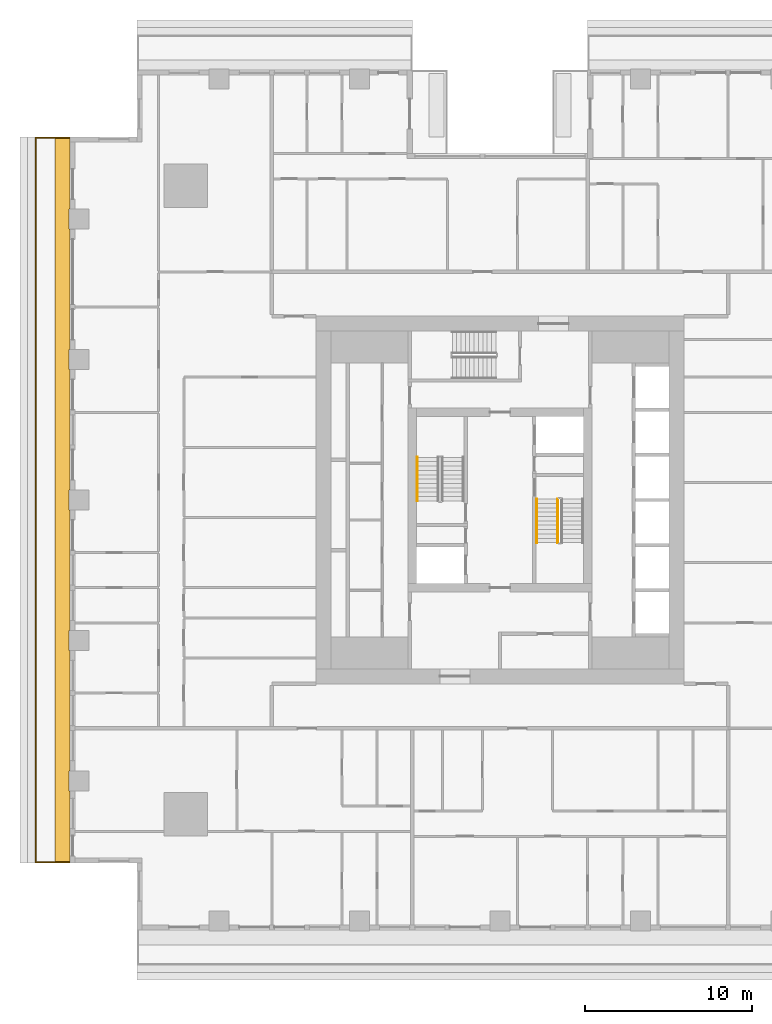
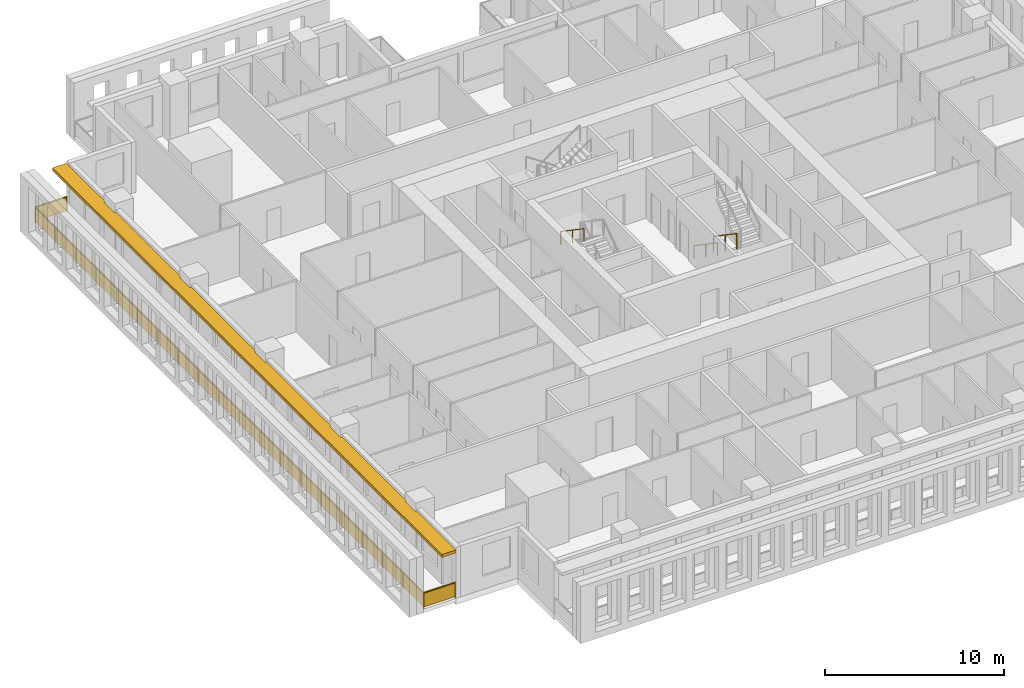
# One storey, part 12 of 16: 4 railings, 1 shading device.
"""IFC4 building model written with IfcOpenShell, lengths in metres."""

from ifc_helpers import new_model, si_unit, direction, frame, origin, origin_2d, place, context, subcontext, project, spatial, polyline, rectangle, outline, extrude, material, layer, layer_set, type_object, element, save


model = new_model("IFC4")

# Units and contexts
model_context = context("Model", 3, precision=1e-05, world=origin(), true_north=direction((0.0, 1.0)))
body_context = subcontext(model_context, "Body", "Model", "MODEL_VIEW")
ifc_project = project(units=[si_unit("LENGTHUNIT", "METRE"), si_unit("AREAUNIT", "SQUARE_METRE"), si_unit("VOLUMEUNIT", "CUBIC_METRE"), si_unit("PLANEANGLEUNIT", "RADIAN"), si_unit("MASSUNIT", "GRAM", prefix="KILO")], contexts=[model_context])

# Site, building, storey
site_placement = place(None, origin())
site = spatial("IfcSite", under=ifc_project, at=site_placement, CompositionType="ELEMENT")
building_placement = place(site_placement, origin())
building = spatial("IfcBuilding", under=site, at=building_placement, Name="Khepri Terraces", CompositionType="ELEMENT")
storey_placement = place(building_placement, frame((0.0, 0.0, 141.60009765625)))
storey = spatial("IfcBuildingStorey", under=building, at=storey_placement, Name="L33", CompositionType="ELEMENT", Elevation=141.60009765625)

# Railings
ifc_material_1 = material(Name="Stainless steel grade 316", Category="steel")
railing_type_1 = type_object("IfcRailingType", Name="GRD-BAL-1100", PredefinedType="GUARDRAIL", material=ifc_material_1)
railing_1_placement = place(storey_placement, frame((-25.719970703125, 21.669921875, 0.0)))
element("IfcRailing", 1, at=railing_1_placement, inside=storey, type_object=railing_type_1, Name="Balcony guard L33 W", PredefinedType="GUARDRAIL", context=body_context, shape_type="SweptSolid", body=[
    extrude(rectangle(XDim=0.050048828125, YDim=0.06005859375, at=origin_2d()), frame((0.0, 0.0, 1.070068359375), z_axis=(-1.0, 0.0, 0.0), x_axis=(0.0, -1.0, 0.0)), (0.0, 0.0, 1.0), 2.050048828125),
    extrude(rectangle(XDim=2.0, YDim=0.011962890625, at=origin_2d()), frame((-1.02490234375, 0.0, 0.10009765625), z_axis=(0.0, 0.0, 1.0), x_axis=(-1.0, 0.0, 0.0)), (0.0, 0.0, 1.0), 0.93994140625),
    extrude(rectangle(XDim=0.050048828125, YDim=0.06005859375, at=origin_2d()), frame((-2.050048828125, 0.0, 1.070068359375), z_axis=(0.0, -1.0, 0.0), x_axis=(1.0, 0.0, 0.0)), (0.0, 0.0, 1.0), 43.33984375),
    extrude(rectangle(XDim=2.23095703125, YDim=0.011962890625, at=origin_2d()), frame((-2.050048828125, -1.140625, 0.10009765625), z_axis=(0.0, 0.0, 1.0), x_axis=(0.0, -1.0, 0.0)), (0.0, 0.0, 1.0), 0.93994140625),
    extrude(rectangle(XDim=2.23095703125, YDim=0.011962890625, at=origin_2d()), frame((-2.050048828125, -3.421630859375, 0.10009765625), z_axis=(0.0, 0.0, 1.0), x_axis=(0.0, -1.0, 0.0)), (0.0, 0.0, 1.0), 0.93994140625),
    extrude(rectangle(XDim=2.23095703125, YDim=0.011962890625, at=origin_2d()), frame((-2.050048828125, -5.70263671875, 0.10009765625), z_axis=(0.0, 0.0, 1.0), x_axis=(0.0, -1.0, 0.0)), (0.0, 0.0, 1.0), 0.93994140625),
    extrude(rectangle(XDim=2.23095703125, YDim=0.011962890625, at=origin_2d()), frame((-2.050048828125, -7.983642578125, 0.10009765625), z_axis=(0.0, 0.0, 1.0), x_axis=(0.0, -1.0, 0.0)), (0.0, 0.0, 1.0), 0.93994140625),
    extrude(rectangle(XDim=2.23095703125, YDim=0.011962890625, at=origin_2d()), frame((-2.050048828125, -10.2646484375, 0.10009765625), z_axis=(0.0, 0.0, 1.0), x_axis=(0.0, -1.0, 0.0)), (0.0, 0.0, 1.0), 0.93994140625),
    extrude(rectangle(XDim=2.23095703125, YDim=0.011962890625, at=origin_2d()), frame((-2.050048828125, -12.545654296875, 0.10009765625), z_axis=(0.0, 0.0, 1.0), x_axis=(0.0, -1.0, 0.0)), (0.0, 0.0, 1.0), 0.93994140625),
    extrude(rectangle(XDim=2.23095703125, YDim=0.011962890625, at=origin_2d()), frame((-2.050048828125, -14.826904296875, 0.10009765625), z_axis=(0.0, 0.0, 1.0), x_axis=(0.0, -1.0, 0.0)), (0.0, 0.0, 1.0), 0.93994140625),
    extrude(rectangle(XDim=2.23095703125, YDim=0.011962890625, at=origin_2d()), frame((-2.050048828125, -17.10791015625, 0.10009765625), z_axis=(0.0, 0.0, 1.0), x_axis=(0.0, -1.0, 0.0)), (0.0, 0.0, 1.0), 0.93994140625),
    extrude(rectangle(XDim=2.23095703125, YDim=0.011962890625, at=origin_2d()), frame((-2.050048828125, -19.388916015625, 0.10009765625), z_axis=(0.0, 0.0, 1.0), x_axis=(0.0, -1.0, 0.0)), (0.0, 0.0, 1.0), 0.93994140625),
    extrude(rectangle(XDim=2.23095703125, YDim=0.011962890625, at=origin_2d()), frame((-2.050048828125, -21.669921875, 0.10009765625), z_axis=(0.0, 0.0, 1.0), x_axis=(0.0, -1.0, 0.0)), (0.0, 0.0, 1.0), 0.93994140625),
    extrude(rectangle(XDim=2.23095703125, YDim=0.011962890625, at=origin_2d()), frame((-2.050048828125, -23.950927734375, 0.10009765625), z_axis=(0.0, 0.0, 1.0), x_axis=(0.0, -1.0, 0.0)), (0.0, 0.0, 1.0), 0.93994140625),
    extrude(rectangle(XDim=2.23095703125, YDim=0.011962890625, at=origin_2d()), frame((-2.050048828125, -26.23193359375, 0.10009765625), z_axis=(0.0, 0.0, 1.0), x_axis=(0.0, -1.0, 0.0)), (0.0, 0.0, 1.0), 0.93994140625),
    extrude(rectangle(XDim=2.23095703125, YDim=0.011962890625, at=origin_2d()), frame((-2.050048828125, -28.512939453125, 0.10009765625), z_axis=(0.0, 0.0, 1.0), x_axis=(0.0, -1.0, 0.0)), (0.0, 0.0, 1.0), 0.93994140625),
    extrude(rectangle(XDim=2.23095703125, YDim=0.011962890625, at=origin_2d()), frame((-2.050048828125, -30.794189453125, 0.10009765625), z_axis=(0.0, 0.0, 1.0), x_axis=(0.0, -1.0, 0.0)), (0.0, 0.0, 1.0), 0.93994140625),
    extrude(rectangle(XDim=2.23095703125, YDim=0.011962890625, at=origin_2d()), frame((-2.050048828125, -33.0751953125, 0.10009765625), z_axis=(0.0, 0.0, 1.0), x_axis=(0.0, -1.0, 0.0)), (0.0, 0.0, 1.0), 0.93994140625),
    extrude(rectangle(XDim=2.23095703125, YDim=0.011962890625, at=origin_2d()), frame((-2.050048828125, -35.356201171875, 0.10009765625), z_axis=(0.0, 0.0, 1.0), x_axis=(0.0, -1.0, 0.0)), (0.0, 0.0, 1.0), 0.93994140625),
    extrude(rectangle(XDim=2.23095703125, YDim=0.011962890625, at=origin_2d()), frame((-2.050048828125, -37.63720703125, 0.10009765625), z_axis=(0.0, 0.0, 1.0), x_axis=(0.0, -1.0, 0.0)), (0.0, 0.0, 1.0), 0.93994140625),
    extrude(rectangle(XDim=2.23095703125, YDim=0.011962890625, at=origin_2d()), frame((-2.050048828125, -39.918212890625, 0.10009765625), z_axis=(0.0, 0.0, 1.0), x_axis=(0.0, -1.0, 0.0)), (0.0, 0.0, 1.0), 0.93994140625),
    extrude(rectangle(XDim=2.23095703125, YDim=0.011962890625, at=origin_2d()), frame((-2.050048828125, -42.19921875, 0.10009765625), z_axis=(0.0, 0.0, 1.0), x_axis=(0.0, -1.0, 0.0)), (0.0, 0.0, 1.0), 0.93994140625),
    extrude(rectangle(XDim=0.050048828125, YDim=0.06005859375, at=origin_2d()), frame((-2.050048828125, -43.33984375, 1.070068359375), z_axis=(1.0, 0.0, 0.0), x_axis=(0.0, 1.0, 0.0)), (0.0, 0.0, 1.0), 2.050048828125),
    extrude(rectangle(XDim=2.0, YDim=0.011962890625, at=origin_2d()), frame((-1.02490234375, -43.33984375, 0.10009765625), z_axis=(0.0, 0.0, 1.0), x_axis=(1.0, 0.0, 0.0)), (0.0, 0.0, 1.0), 0.93994140625),
    extrude(rectangle(XDim=0.050048828125, YDim=0.050048828125, at=origin_2d()), origin(), (0.0, 0.0, 1.0), 1.0400390625),
    extrude(rectangle(XDim=0.050048828125, YDim=0.050048828125, at=origin_2d()), frame((-2.050048828125, 0.0, 0.0)), (0.0, 0.0, 1.0), 1.0400390625),
    extrude(rectangle(XDim=0.050048828125, YDim=0.050048828125, at=origin_2d()), frame((-2.050048828125, -2.281005859375, 0.0)), (0.0, 0.0, 1.0), 1.0400390625),
    extrude(rectangle(XDim=0.050048828125, YDim=0.050048828125, at=origin_2d()), frame((-2.050048828125, -4.56201171875, 0.0)), (0.0, 0.0, 1.0), 1.0400390625),
    extrude(rectangle(XDim=0.050048828125, YDim=0.050048828125, at=origin_2d()), frame((-2.050048828125, -6.843017578125, 0.0)), (0.0, 0.0, 1.0), 1.0400390625),
    extrude(rectangle(XDim=0.050048828125, YDim=0.050048828125, at=origin_2d()), frame((-2.050048828125, -9.124267578125, 0.0)), (0.0, 0.0, 1.0), 1.0400390625),
    extrude(rectangle(XDim=0.050048828125, YDim=0.050048828125, at=origin_2d()), frame((-2.050048828125, -11.4052734375, 0.0)), (0.0, 0.0, 1.0), 1.0400390625),
    extrude(rectangle(XDim=0.050048828125, YDim=0.050048828125, at=origin_2d()), frame((-2.050048828125, -13.686279296875, 0.0)), (0.0, 0.0, 1.0), 1.0400390625),
    extrude(rectangle(XDim=0.050048828125, YDim=0.050048828125, at=origin_2d()), frame((-2.050048828125, -15.96728515625, 0.0)), (0.0, 0.0, 1.0), 1.0400390625),
    extrude(rectangle(XDim=0.050048828125, YDim=0.050048828125, at=origin_2d()), frame((-2.050048828125, -18.248291015625, 0.0)), (0.0, 0.0, 1.0), 1.0400390625),
    extrude(rectangle(XDim=0.050048828125, YDim=0.050048828125, at=origin_2d()), frame((-2.050048828125, -20.529296875, 0.0)), (0.0, 0.0, 1.0), 1.0400390625),
    extrude(rectangle(XDim=0.050048828125, YDim=0.050048828125, at=origin_2d()), frame((-2.050048828125, -22.810546875, 0.0)), (0.0, 0.0, 1.0), 1.0400390625),
    extrude(rectangle(XDim=0.050048828125, YDim=0.050048828125, at=origin_2d()), frame((-2.050048828125, -25.091552734375, 0.0)), (0.0, 0.0, 1.0), 1.0400390625),
    extrude(rectangle(XDim=0.050048828125, YDim=0.050048828125, at=origin_2d()), frame((-2.050048828125, -27.37255859375, 0.0)), (0.0, 0.0, 1.0), 1.0400390625),
    extrude(rectangle(XDim=0.050048828125, YDim=0.050048828125, at=origin_2d()), frame((-2.050048828125, -29.653564453125, 0.0)), (0.0, 0.0, 1.0), 1.0400390625),
    extrude(rectangle(XDim=0.050048828125, YDim=0.050048828125, at=origin_2d()), frame((-2.050048828125, -31.9345703125, 0.0)), (0.0, 0.0, 1.0), 1.0400390625),
    extrude(rectangle(XDim=0.050048828125, YDim=0.050048828125, at=origin_2d()), frame((-2.050048828125, -34.215576171875, 0.0)), (0.0, 0.0, 1.0), 1.0400390625),
    extrude(rectangle(XDim=0.050048828125, YDim=0.050048828125, at=origin_2d()), frame((-2.050048828125, -36.496826171875, 0.0)), (0.0, 0.0, 1.0), 1.0400390625),
    extrude(rectangle(XDim=0.050048828125, YDim=0.050048828125, at=origin_2d()), frame((-2.050048828125, -38.77783203125, 0.0)), (0.0, 0.0, 1.0), 1.0400390625),
    extrude(rectangle(XDim=0.050048828125, YDim=0.050048828125, at=origin_2d()), frame((-2.050048828125, -41.058837890625, 0.0)), (0.0, 0.0, 1.0), 1.0400390625),
    extrude(rectangle(XDim=0.050048828125, YDim=0.050048828125, at=origin_2d()), frame((-2.050048828125, -43.33984375, 0.0)), (0.0, 0.0, 1.0), 1.0400390625),
    extrude(rectangle(XDim=0.050048828125, YDim=0.050048828125, at=origin_2d()), frame((0.0, -43.33984375, 0.0)), (0.0, 0.0, 1.0), 1.0400390625),
])
ifc_material_2 = material(Name="Stainless steel 316", Category="steel")
railing_type_2 = type_object("IfcRailingType", Name="RL-CORE-GUARD", PredefinedType="GUARDRAIL", material=ifc_material_2)
railing_2_placement = place(storey_placement, frame((3.449951171875, 0.050048828125, 0.17724609375)))
element("IfcRailing", 2, at=railing_2_placement, inside=storey, type_object=railing_type_2, Name="L33 ST-2 stair guard 1", PredefinedType="GUARDRAIL", context=body_context, shape_type="SweptSolid", body=[
    extrude(rectangle(XDim=0.050048828125, YDim=0.06005859375, at=origin_2d()), frame((0.0, 0.0, 1.070068359375), z_axis=(0.0, -0.826240473404, 0.563317565952), x_axis=(1.0, 0.0, 0.0)), (0.0, 0.0, 1.0), 3.14697265625),
    extrude(rectangle(XDim=0.050048828125, YDim=0.050048828125, at=origin_2d()), origin(), (0.0, 0.0, 1.0), 1.0400390625),
    extrude(rectangle(XDim=0.050048828125, YDim=0.050048828125, at=origin_2d()), frame((0.0, -1.300048828125, 0.88623046875)), (0.0, 0.0, 1.0), 1.0400390625),
    extrude(rectangle(XDim=0.050048828125, YDim=0.050048828125, at=origin_2d()), frame((0.0, -2.60009765625, 1.772705078125)), (0.0, 0.0, 1.0), 1.0400390625),
])
railing_type_3 = type_object("IfcRailingType", Name="RL-CORE-HANDRAIL", PredefinedType="HANDRAIL", material=ifc_material_2)
for number, where, name in (
    (3, (-4.949951171875, 2.550048828125, 2.127197265625), "L33 ST-1 stair handrail 2"),
    (4, (2.199951171875, 0.050048828125, 0.17724609375), "L33 ST-2 stair handrail 1"),
):
    element("IfcRailing", number, at=place(storey_placement, frame(where)), inside=storey, type_object=railing_type_3, Name=name, PredefinedType="HANDRAIL", context=body_context, shape_type="SweptSolid", body=[
        extrude(rectangle(XDim=0.050048828125, YDim=0.050048828125, at=origin_2d()), frame((0.0, 0.0, 0.875), z_axis=(0.0, -0.826240473404, 0.563317565952), x_axis=(1.0, 0.0, 0.0)), (0.0, 0.0, 1.0), 3.14697265625),
        extrude(rectangle(XDim=0.050048828125, YDim=0.050048828125, at=origin_2d()), origin(), (0.0, 0.0, 1.0), 0.849853515625),
        extrude(rectangle(XDim=0.050048828125, YDim=0.050048828125, at=origin_2d()), frame((0.0, -1.300048828125, 0.88623046875)), (0.0, 0.0, 1.0), 0.849853515625),
        extrude(rectangle(XDim=0.050048828125, YDim=0.050048828125, at=origin_2d()), frame((0.0, -2.60009765625, 1.772705078125)), (0.0, 0.0, 1.0), 0.849853515625),
    ])

# Shading device
ifc_material_3 = material(Name="Precast concrete C50/60 warm stone", Category="masonry")
ifc_layer = layer(ifc_material_3, 0.199951171875, Name="Precast concrete C50/60 warm stone", Category="masonry")
ifc_layer_set = layer_set([ifc_layer], Name="Precast concrete C50/60 warm stone")
shading_device_type = type_object("IfcShadingDeviceType", Name="SSH-BAND-STONE-200", PredefinedType="USERDEFINED", material=ifc_layer_set)
shading_device_placement = place(storey_placement, frame((0.0, 0.0, 3.099853515625)))
element("IfcShadingDevice", 5, at=shading_device_placement, inside=storey, type_object=shading_device_type, Name="Sunshade band L33 W", ObjectType="SUNSHADE", PredefinedType="USERDEFINED", context=body_context, shape_type="SweptSolid", body=[
    extrude(outline(polyline([(-25.719970703125, 17.39990234375), (-25.719970703125, 21.719970703125), (-26.6201171875, 21.719970703125), (-26.6201171875, -21.719970703125), (-25.719970703125, -21.719970703125), (-25.719970703125, -17.39990234375), (-25.800048828125, -17.39990234375), (-25.800048828125, -16.199951171875), (-25.719970703125, -16.199951171875), (-25.719970703125, -9.0), (-25.800048828125, -9.0), (-25.800048828125, -7.800048828125), (-25.719970703125, -7.800048828125), (-25.719970703125, -0.60009765625), (-25.800048828125, -0.60009765625), (-25.800048828125, 0.60009765625), (-25.719970703125, 0.60009765625), (-25.719970703125, 7.800048828125), (-25.800048828125, 7.800048828125), (-25.800048828125, 9.0), (-25.719970703125, 9.0), (-25.719970703125, 16.199951171875), (-25.800048828125, 16.199951171875), (-25.800048828125, 17.39990234375), (-25.719970703125, 17.39990234375)])), origin(), (0.0, 0.0, 1.0), 0.199951171875),
])

save(model, "model.ifc")
